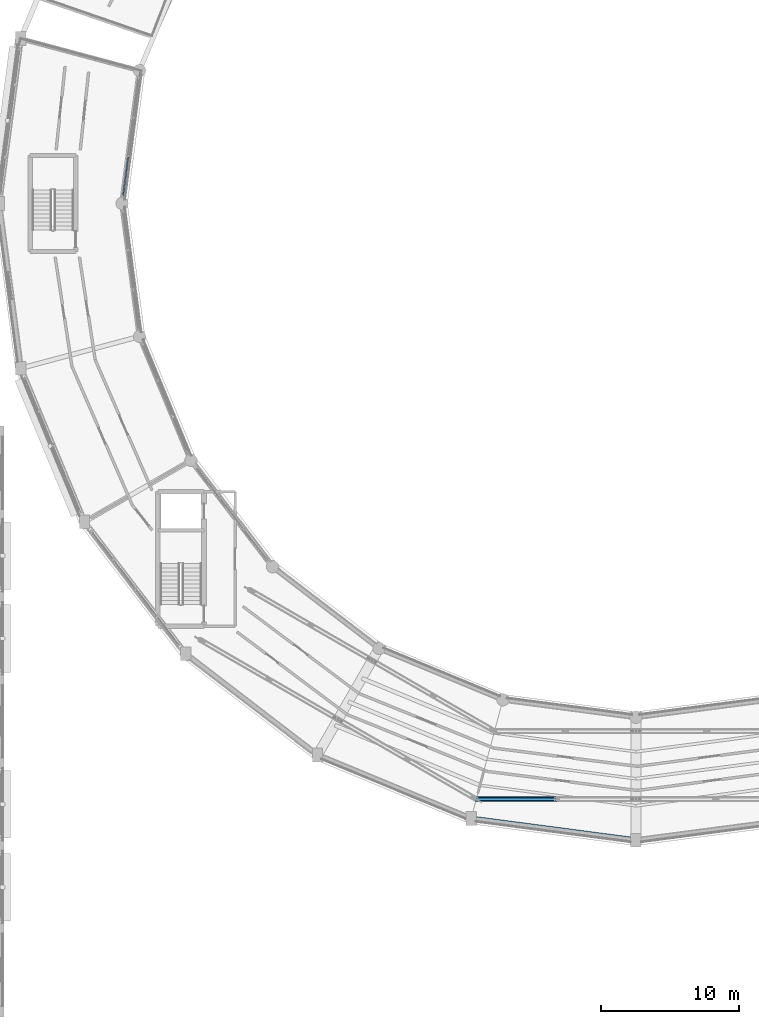
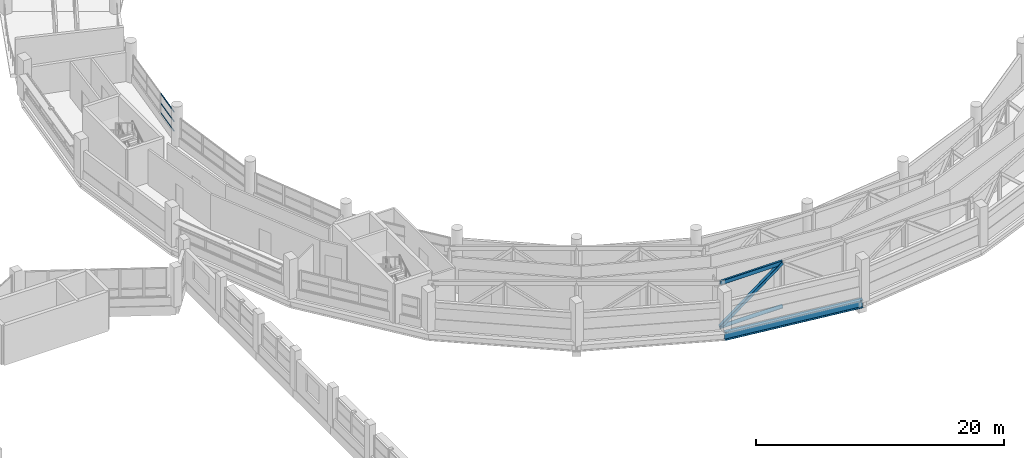
# One storey, part 26 of 121: 6 members, 1 beam, 1 element without a shape of its own.
"""IFC4 building model written with IfcOpenShell, lengths in metres."""

from ifc_helpers import new_model, si_unit, direction, frame, origin, origin_2d, place, context, subcontext, project, spatial, hollow_rectangle, hollow_circle, i_section, extrude, material, layer, layer_set, material_profile, profile_set, type_object, element, aggregate, save


model = new_model("IFC4")

# Units and contexts
model_context = context("Model", 3, precision=1e-05, world=origin(), true_north=direction((0.0, 1.0)))
body_context = subcontext(model_context, "Body", "Model", "MODEL_VIEW")
ifc_project = project(units=[si_unit("LENGTHUNIT", "METRE"), si_unit("AREAUNIT", "SQUARE_METRE"), si_unit("VOLUMEUNIT", "CUBIC_METRE"), si_unit("PLANEANGLEUNIT", "RADIAN"), si_unit("MASSUNIT", "GRAM", prefix="KILO")], contexts=[model_context])

# Site, building, storey
site_placement = place(None, origin())
site = spatial("IfcSite", under=ifc_project, at=site_placement, CompositionType="ELEMENT")
building_placement = place(site_placement, origin())
building = spatial("IfcBuilding", under=site, at=building_placement, Name="Vespera Passage Community Centre", CompositionType="ELEMENT")
storey_placement = place(building_placement, frame((0.0, 0.0, 8.699951171875)))
storey = spatial("IfcBuildingStorey", under=building, at=storey_placement, Name="L02", CompositionType="ELEMENT", Elevation=8.699951171875)

# Member
ifc_material_1 = material(Name="Steel ASTM A500 Grade C", Category="steel")
ifc_material_profile_1 = material_profile(ifc_material_1, hollow_circle(Radius=0.177734375, WallThickness=0.014892578125, at=origin_2d()), Name="CHS356X15.9")
ifc_profile_set_1 = profile_set([ifc_material_profile_1], Name="Steel ASTM A500 Grade C")
member_type_1 = type_object("IfcMemberType", Name="BC-356", PredefinedType="CHORD", material=ifc_profile_set_1)
member_1_placement = place(storey_placement, frame((66.443603515625, 22.371337890625, -0.849853515625), z_axis=(1.0, 0.0, 0.0), x_axis=(0.0, 1.0, 0.0)))
element("IfcMember", 1, at=member_1_placement, inside=storey, type_object=member_type_1, Name="BC-356 Transfer Truss Chord TR3O.1", PredefinedType="CHORD", context=body_context, shape_type="SweptSolid", body=[
    extrude(hollow_circle(Radius=0.177734375, WallThickness=0.014892578125, at=origin_2d()), origin(), (0.0, 0.0, 1.0), 5.7783203125),
])

# Beam
ifc_material_2 = material(Name="Steel ASTM A992 Grade 50", Category="steel")
ifc_material_profile_2 = material_profile(ifc_material_2, i_section(OverallWidth=0.382080078125, OverallDepth=0.779296875, WebThickness=0.01806640625, FlangeThickness=0.030029296875, FilletRadius=0.0166015625, at=origin_2d()), Name="W30X191")
ifc_profile_set_2 = profile_set([ifc_material_profile_2], Name="Steel ASTM A992 Grade 50")
beam_type = type_object("IfcBeamType", Name="BM-SP-W30X191E", PredefinedType="SPANDREL", material=ifc_profile_set_2)
beam_placement = place(storey_placement, frame((66.068359375, 20.970703125, -0.729736328125), z_axis=(0.991445178667, -0.130523782115, 0.0), x_axis=(0.130523782115, 0.991445178667, 0.0)))
element("IfcBeam", 2, at=beam_placement, inside=storey, type_object=beam_type, Name="V4 L02 Outer Spandrel 17", PredefinedType="SPANDREL", context=body_context, shape_type="SweptSolid", body=[
    extrude(i_section(OverallWidth=0.382080078125, OverallDepth=0.779296875, WebThickness=0.01806640625, FlangeThickness=0.030029296875, FilletRadius=0.0166015625, at=origin_2d()), origin(), (0.0, 0.0, 1.0), 12.03466796875),
])

# Curtain wall, members
ifc_material_3 = material(Name="Anodized aluminium 6063-T6", Category="aluminium")
ifc_layer = layer(ifc_material_3, 0.159912109375)
ifc_layer_set = layer_set([ifc_layer], Name="Anodized aluminium 6063-T6")
curtain_wall_type = type_object("IfcCurtainWallType", Name="CW-27E", PredefinedType="NOTDEFINED", material=ifc_layer_set)
curtain_wall_placement = place(storey_placement, origin())
curtain_wall = element("IfcCurtainWall", 3, at=curtain_wall_placement, inside=storey, type_object=curtain_wall_type, Name="V4 L02 Inner Court Curtain Wall 11", PredefinedType="NOTDEFINED")
ifc_material_4 = material(Name="Anodized aluminium 6063-T6", Category="aluminium")
ifc_material_profile_3 = material_profile(ifc_material_4, hollow_rectangle(XDim=0.06005859375, YDim=0.1201171875, WallThickness=0.00390625, InnerFilletRadius=0.001953125, OuterFilletRadius=0.00390625, at=origin_2d()), Name="ALU120X60X4")
ifc_profile_set_3 = profile_set([ifc_material_profile_3], Name="Anodized aluminium 6063-T6")
member_type_2 = type_object("IfcMemberType", Name="MB-CWT-120E", PredefinedType="USERDEFINED", material=ifc_profile_set_3)
member_2_placement = place(storey_placement, frame((41.24072265625, 68.84814453125, 0.85009765625), z_axis=(-0.130526832651, -0.991444777059, 0.0), x_axis=(0.991444777059, -0.130526832651, 0.0)))
member_2 = element("IfcMember", 4, at=member_2_placement, type_object=member_type_2, Name="CW-27E transom 3.1", ObjectType="TRANSOM", PredefinedType="USERDEFINED", context=body_context, shape_type="SweptSolid", body=[
    extrude(hollow_rectangle(XDim=0.06005859375, YDim=0.1201171875, WallThickness=0.00390625, InnerFilletRadius=0.001953125, OuterFilletRadius=0.00390625, at=origin_2d()), origin(), (0.0, 0.0, 1.0), 2.79443359375),
])
member_3_placement = place(storey_placement, frame((41.24072265625, 68.84814453125, 1.794677734375), z_axis=(-0.130526832651, -0.991444777059, 0.0), x_axis=(0.991444777059, -0.130526832651, 0.0)))
member_3 = element("IfcMember", 5, at=member_3_placement, type_object=member_type_2, Name="CW-27E transom 3.2", ObjectType="TRANSOM", PredefinedType="USERDEFINED", context=body_context, shape_type="SweptSolid", body=[
    extrude(hollow_rectangle(XDim=0.06005859375, YDim=0.1201171875, WallThickness=0.00390625, InnerFilletRadius=0.001953125, OuterFilletRadius=0.00390625, at=origin_2d()), origin(), (0.0, 0.0, 1.0), 2.79443359375),
])
member_4_placement = place(storey_placement, frame((41.24072265625, 68.84814453125, 2.739501953125), z_axis=(-0.130526832651, -0.991444777059, 0.0), x_axis=(0.991444777059, -0.130526832651, 0.0)))
member_4 = element("IfcMember", 6, at=member_4_placement, type_object=member_type_2, Name="CW-27E transom 3.3", ObjectType="TRANSOM", PredefinedType="USERDEFINED", context=body_context, shape_type="SweptSolid", body=[
    extrude(hollow_rectangle(XDim=0.06005859375, YDim=0.1201171875, WallThickness=0.00390625, InnerFilletRadius=0.001953125, OuterFilletRadius=0.00390625, at=origin_2d()), origin(), (0.0, 0.0, 1.0), 2.79443359375),
])
aggregate(curtain_wall, [member_2, member_3, member_4])

# Members
ifc_material_5 = material(Name="Steel ASTM A500 Grade C", Category="steel")
ifc_material_profile_4 = material_profile(ifc_material_5, hollow_rectangle(XDim=0.203125, YDim=0.406494140625, WallThickness=0.014892578125, InnerFilletRadius=0.014892578125, OuterFilletRadius=0.029541015625, at=origin_2d()), Name="HSS406X203X15.9")
ifc_profile_set_4 = profile_set([ifc_material_profile_4], Name="Steel ASTM A500 Grade C")
member_type_3 = type_object("IfcMemberType", Name="TC-406", PredefinedType="CHORD", material=ifc_profile_set_4)
member_5_placement = place(storey_placement, frame((66.443603515625, 22.371337890625, 3.47998046875), z_axis=(1.0, 0.0, 0.0), x_axis=(0.0, 1.0, 0.0)))
element("IfcMember", 7, at=member_5_placement, inside=storey, type_object=member_type_3, Name="TC-406 Transfer Truss Chord TR3O.1", PredefinedType="CHORD", context=body_context, shape_type="SweptSolid", body=[
    extrude(hollow_rectangle(XDim=0.203125, YDim=0.406494140625, WallThickness=0.014892578125, InnerFilletRadius=0.014892578125, OuterFilletRadius=0.029541015625, at=origin_2d()), origin(), (0.0, 0.0, 1.0), 5.7783203125),
])
ifc_material_6 = material(Name="Steel ASTM A500 Grade C", Category="steel")
ifc_material_profile_5 = material_profile(ifc_material_6, hollow_rectangle(XDim=0.3046875, YDim=0.3046875, WallThickness=0.014892578125, InnerFilletRadius=0.014892578125, OuterFilletRadius=0.029541015625, at=origin_2d()), Name="HSS305X305X15.9")
ifc_profile_set_5 = profile_set([ifc_material_profile_5], Name="Steel ASTM A500 Grade C")
member_type_4 = type_object("IfcMemberType", Name="TD-305", PredefinedType="BRACE", material=ifc_profile_set_5)
member_6_placement = place(storey_placement, frame((66.443603515625, 22.371337890625, -0.849853515625), z_axis=(0.800259600323, 0.0, 0.599653710146), x_axis=(0.0, 1.0, 0.0)))
element("IfcMember", 8, at=member_6_placement, inside=storey, type_object=member_type_4, Name="TD-305 Transfer Truss Diagonal TR3O.1", PredefinedType="BRACE", context=body_context, shape_type="SweptSolid", body=[
    extrude(hollow_rectangle(XDim=0.3046875, YDim=0.3046875, WallThickness=0.014892578125, InnerFilletRadius=0.014892578125, OuterFilletRadius=0.029541015625, at=origin_2d()), origin(), (0.0, 0.0, 1.0), 7.220458984375),
])

save(model, "model.ifc")
